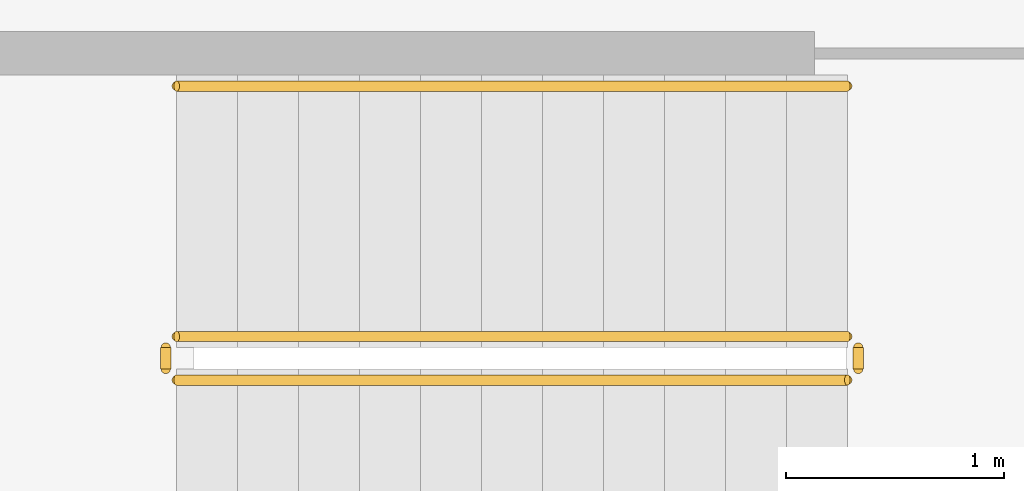
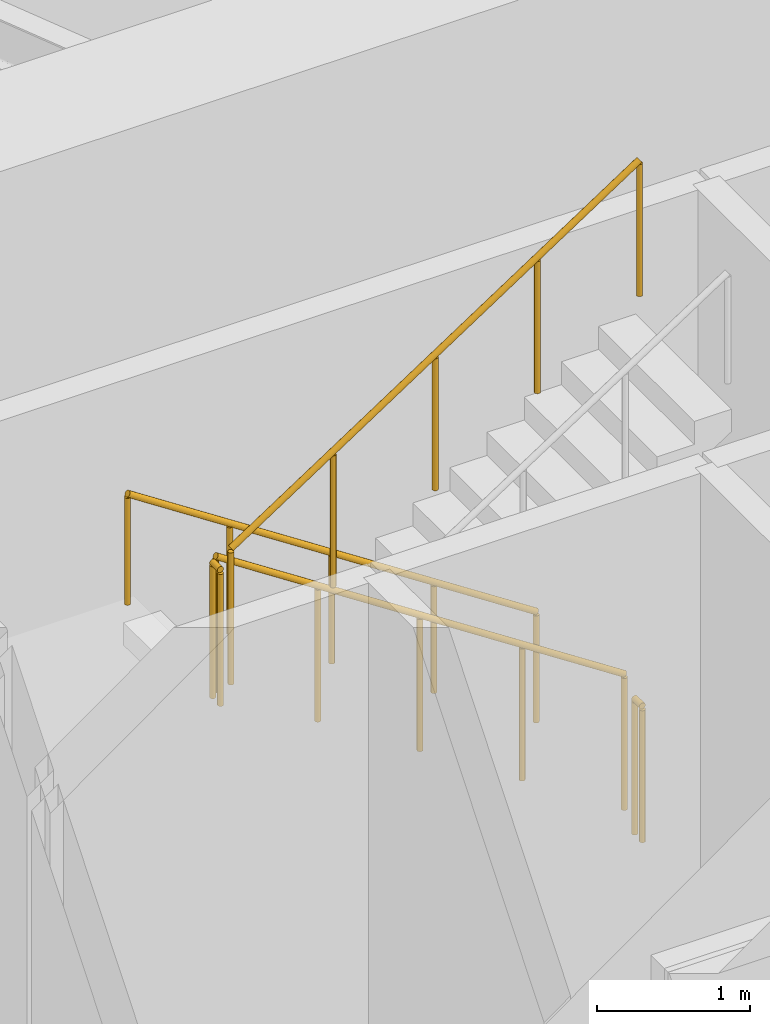
# One storey, part 19 of 21: 5 railings.
"""IFC4 building model written with IfcOpenShell, lengths in metres."""

from ifc_helpers import new_model, si_unit, direction, frame, origin, origin_2d, place, context, subcontext, project, spatial, circle, extrude, material, type_object, element, save


model = new_model("IFC4")

# Units and contexts
model_context = context("Model", 3, precision=1e-05, world=origin(), true_north=direction((0.0, 1.0)))
body_context = subcontext(model_context, "Body", "Model", "MODEL_VIEW")
ifc_project = project(units=[si_unit("LENGTHUNIT", "METRE"), si_unit("AREAUNIT", "SQUARE_METRE"), si_unit("VOLUMEUNIT", "CUBIC_METRE"), si_unit("PLANEANGLEUNIT", "RADIAN"), si_unit("MASSUNIT", "GRAM", prefix="KILO")], contexts=[model_context])

# Site, building, storey
site_placement = place(None, origin())
site = spatial("IfcSite", under=ifc_project, at=site_placement, CompositionType="ELEMENT")
building_placement = place(site_placement, origin())
building = spatial("IfcBuilding", under=site, at=building_placement, Name="Spindrift Exchange Tower", CompositionType="ELEMENT")
storey_placement = place(building_placement, frame((0.0, 0.0, 18.199951171875)))
storey = spatial("IfcBuildingStorey", under=building, at=storey_placement, Name="L04", CompositionType="ELEMENT", Elevation=18.199951171875)

# Railings
ifc_material_1 = material(Name="Steel balustrade", Category="steel")
railing_type_1 = type_object("IfcRailingType", Name="RL-STAIR-GUARD", PredefinedType="GUARDRAIL", material=ifc_material_1)
railing_1_placement = place(storey_placement, frame((49.050048828125, 53.89990234375, 0.183349609375)))
element("IfcRailing", 1, at=railing_1_placement, inside=storey, type_object=railing_type_1, Name="L04 ST1 stair guard 1", PredefinedType="GUARDRAIL", context=body_context, shape_type="SweptSolid", body=[
    extrude(circle(Radius=0.02392578125, at=origin_2d()), frame((0.0, 0.0, 1.076171875), z_axis=(-0.836633000464, 0.0, 0.547763838287), x_axis=(0.0, -1.0, 0.0)), (0.0, 0.0, 1.0), 3.681396484375),
    extrude(circle(Radius=0.02099609375, at=origin_2d()), origin(), (0.0, 0.0, 1.0), 1.052001953125),
    extrude(circle(Radius=0.02099609375, at=origin_2d()), frame((-0.77001953125, 0.0, 0.504150390625)), (0.0, 0.0, 1.0), 1.052001953125),
    extrude(circle(Radius=0.02099609375, at=origin_2d()), frame((-1.5400390625, 0.0, 1.00830078125)), (0.0, 0.0, 1.0), 1.052001953125),
    extrude(circle(Radius=0.02099609375, at=origin_2d()), frame((-2.31005859375, 0.0, 1.512451171875)), (0.0, 0.0, 1.0), 1.052001953125),
    extrude(circle(Radius=0.02099609375, at=origin_2d()), frame((-3.080078125, 0.0, 2.0166015625)), (0.0, 0.0, 1.0), 1.052001953125),
])
railing_2_placement = place(storey_placement, frame((45.919921875, 53.85009765625, 2.199951171875)))
element("IfcRailing", 2, at=railing_2_placement, inside=storey, type_object=railing_type_1, Name="L04 ST1 stair guard 2", PredefinedType="GUARDRAIL", context=body_context, shape_type="SweptSolid", body=[
    extrude(circle(Radius=0.02392578125, at=origin_2d()), frame((0.0, 0.0, 1.076171875), z_axis=(0.0, -1.0, 0.0), x_axis=(1.0, 0.0, 0.0)), (0.0, 0.0, 1.0), 0.10009765625),
    extrude(circle(Radius=0.02099609375, at=origin_2d()), origin(), (0.0, 0.0, 1.0), 1.052001953125),
    extrude(circle(Radius=0.02099609375, at=origin_2d()), frame((0.0, -0.10009765625, 0.0)), (0.0, 0.0, 1.0), 1.052001953125),
])
railing_3_placement = place(storey_placement, frame((45.969970703125, 53.699951171875, 2.38330078125)))
element("IfcRailing", 3, at=railing_3_placement, inside=storey, type_object=railing_type_1, Name="L04 ST1 stair guard 3", PredefinedType="GUARDRAIL", context=body_context, shape_type="SweptSolid", body=[
    extrude(circle(Radius=0.02392578125, at=origin_2d()), frame((0.0, 0.0, 1.076171875), z_axis=(0.836602609513, 0.0, 0.547810253423), x_axis=(0.0, 1.0, 0.0)), (0.0, 0.0, 1.0), 3.681640625),
    extrude(circle(Radius=0.02099609375, at=origin_2d()), origin(), (0.0, 0.0, 1.0), 1.052001953125),
    extrude(circle(Radius=0.02099609375, at=origin_2d()), frame((0.77001953125, 0.0, 0.504150390625)), (0.0, 0.0, 1.0), 1.052001953125),
    extrude(circle(Radius=0.02099609375, at=origin_2d()), frame((1.5400390625, 0.0, 1.00830078125)), (0.0, 0.0, 1.0), 1.052001953125),
    extrude(circle(Radius=0.02099609375, at=origin_2d()), frame((2.31005859375, 0.0, 1.5126953125)), (0.0, 0.0, 1.0), 1.052001953125),
    extrude(circle(Radius=0.02099609375, at=origin_2d()), frame((3.080078125, 0.0, 2.016845703125)), (0.0, 0.0, 1.0), 1.052001953125),
])
railing_4_placement = place(storey_placement, frame((49.10009765625, 53.85009765625, 0.0)))
element("IfcRailing", 4, at=railing_4_placement, inside=storey, type_object=railing_type_1, Name="L04 ST1 stair guard 4", PredefinedType="GUARDRAIL", context=body_context, shape_type="SweptSolid", body=[
    extrude(circle(Radius=0.02392578125, at=origin_2d()), frame((0.0, 0.0, 1.076171875), z_axis=(0.0, -1.0, 0.0), x_axis=(1.0, 0.0, 0.0)), (0.0, 0.0, 1.0), 0.10009765625),
    extrude(circle(Radius=0.02099609375, at=origin_2d()), origin(), (0.0, 0.0, 1.0), 1.052001953125),
    extrude(circle(Radius=0.02099609375, at=origin_2d()), frame((0.0, -0.10009765625, 0.0)), (0.0, 0.0, 1.0), 1.052001953125),
])
ifc_material_2 = material(Name="Steel tubular handrail", Category="steel")
railing_type_2 = type_object("IfcRailingType", Name="RL-STAIR-HAND", PredefinedType="HANDRAIL", material=ifc_material_2)
railing_5_placement = place(storey_placement, frame((49.050048828125, 55.050048828125, 0.183349609375)))
element("IfcRailing", 5, at=railing_5_placement, inside=storey, type_object=railing_type_2, Name="L04 ST1 stair handrail 1", PredefinedType="HANDRAIL", context=body_context, shape_type="SweptSolid", body=[
    extrude(circle(Radius=0.02392578125, at=origin_2d()), frame((0.0, 0.0, 0.8759765625), z_axis=(-0.836633000464, 0.0, 0.547763838287), x_axis=(0.0, -1.0, 0.0)), (0.0, 0.0, 1.0), 3.681396484375),
    extrude(circle(Radius=0.02099609375, at=origin_2d()), origin(), (0.0, 0.0, 1.0), 0.851806640625),
    extrude(circle(Radius=0.02099609375, at=origin_2d()), frame((-0.77001953125, 0.0, 0.504150390625)), (0.0, 0.0, 1.0), 0.851806640625),
    extrude(circle(Radius=0.02099609375, at=origin_2d()), frame((-1.5400390625, 0.0, 1.00830078125)), (0.0, 0.0, 1.0), 0.851806640625),
    extrude(circle(Radius=0.02099609375, at=origin_2d()), frame((-2.31005859375, 0.0, 1.512451171875)), (0.0, 0.0, 1.0), 0.851806640625),
    extrude(circle(Radius=0.02099609375, at=origin_2d()), frame((-3.080078125, 0.0, 2.0166015625)), (0.0, 0.0, 1.0), 0.851806640625),
])

save(model, "model.ifc")
